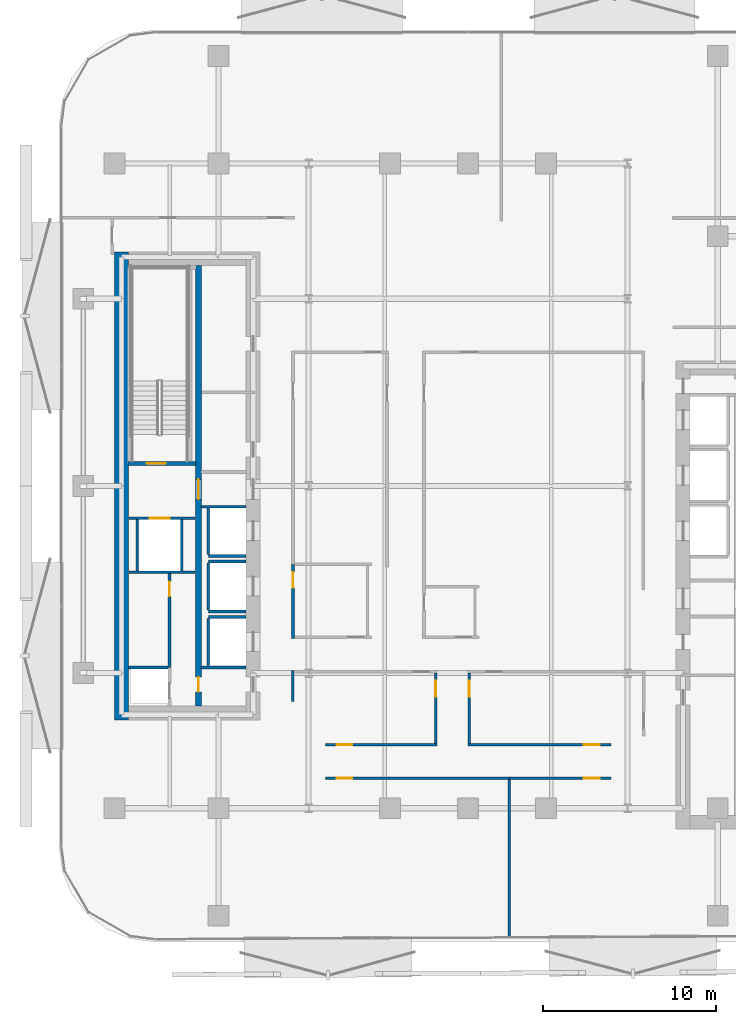
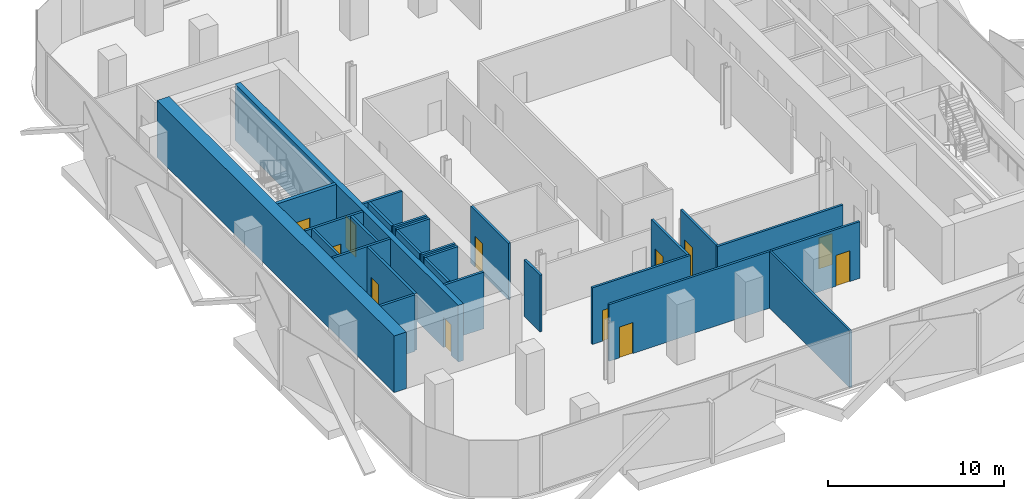
# One storey, part 3 of 15: 27 walls, 12 doors, 12 openings.
"""IFC4 building model written with IfcOpenShell, lengths in metres."""

from ifc_helpers import new_model, si_unit, direction, frame, frame_2d, origin, place, context, subcontext, project, spatial, rectangle, extrude, material, layer, layer_set, type_object, element, fill, save


model = new_model("IFC4")

# Units and contexts
model_context = context("Model", 3, precision=1e-05, world=origin(), true_north=direction((0.0, 1.0)))
body_context = subcontext(model_context, "Body", "Model", "MODEL_VIEW")
ifc_project = project(units=[si_unit("LENGTHUNIT", "METRE"), si_unit("AREAUNIT", "SQUARE_METRE"), si_unit("VOLUMEUNIT", "CUBIC_METRE"), si_unit("PLANEANGLEUNIT", "RADIAN"), si_unit("MASSUNIT", "GRAM", prefix="KILO")], contexts=[model_context])

# Site, building, storey
site_placement = place(None, origin())
site = spatial("IfcSite", under=ifc_project, at=site_placement, CompositionType="ELEMENT")
building_placement = place(site_placement, origin())
building = spatial("IfcBuilding", under=site, at=building_placement, Name="Khairoan Windgate Tower", CompositionType="ELEMENT")
storey_placement = place(building_placement, frame((0.0, 0.0, 105.800048828125)))
storey = spatial("IfcBuildingStorey", under=building, at=storey_placement, Name="L24", CompositionType="ELEMENT", Elevation=105.800048828125)

# Walls
ifc_material_1 = material(Name="Concrete C40/50", Category="concrete")
ifc_layer_1 = layer(ifc_material_1, 0.159912109375, Name="Concrete C40/50")
ifc_layer_set_1 = layer_set([ifc_layer_1], Name="Concrete C40/50")
wall_type_1 = type_object("IfcWallType", Name="Core and Hoistway Enclosure Wall", PredefinedType="STANDARD", material=ifc_layer_set_1)
wall_1_placement = place(storey_placement, frame((-14.989990234375, -4.0400390625, 0.0), z_axis=(0.0, 0.0, 1.0), x_axis=(1.0, 0.0, 0.0)))
element("IfcWall", 1, at=wall_1_placement, inside=storey, type_object=wall_type_1, Name="L24 Lift PL4 Hoistway Divider S", PredefinedType="STANDARD", context=body_context, shape_type="SweptSolid", body=[
    extrude(rectangle(XDim=2.18994140625, YDim=0.159912109375, at=frame_2d((1.094970703125, 0.0))), origin(), (0.0, 0.0, 1.0), 3.93994140625),
])
wall_2_placement = place(storey_placement, frame((-14.989990234375, -3.949951171875, 0.0), z_axis=(0.0, 0.0, 1.0), x_axis=(0.0, 1.0, 0.0)))
element("IfcWall", 2, at=wall_2_placement, inside=storey, type_object=wall_type_1, Name="L24 Lift PL4 Hoistway Back Wall", PredefinedType="STANDARD", context=body_context, shape_type="SweptSolid", body=[
    extrude(rectangle(XDim=2.699951171875, YDim=0.159912109375, at=frame_2d((1.35009765625, 0.0))), origin(), (0.0, 0.0, 1.0), 3.93994140625),
])
for number, where, z_axis, x_axis, name in (
    (3, (-14.989990234375, -7.239990234375, 0.0), (0.0, 0.0, 1.0), (1.0, 0.0, 0.0), "L24 Lift PL5 Hoistway Divider S"),
    (4, (-14.989990234375, -4.360107421875, 0.0), (0.0, 0.0, 1.0), (1.0, 0.0, 0.0), "L24 Lift PL5 Hoistway Divider N"),
):
    element("IfcWall", number, at=place(storey_placement, frame(where, z_axis=z_axis, x_axis=x_axis)), inside=storey, type_object=wall_type_1, Name=name, PredefinedType="STANDARD", context=body_context, shape_type="SweptSolid", body=[
        extrude(rectangle(XDim=2.18994140625, YDim=0.159912109375, at=frame_2d((1.094970703125, 0.0))), origin(), (0.0, 0.0, 1.0), 3.93994140625),
    ])
wall_3_placement = place(storey_placement, frame((-14.989990234375, -7.14990234375, 0.0), z_axis=(0.0, 0.0, 1.0), x_axis=(0.0, 1.0, 0.0)))
element("IfcWall", 5, at=wall_3_placement, inside=storey, type_object=wall_type_1, Name="L24 Lift PL5 Hoistway Back Wall", PredefinedType="STANDARD", context=body_context, shape_type="SweptSolid", body=[
    extrude(rectangle(XDim=2.699951171875, YDim=0.159912109375, at=frame_2d((1.35009765625, 0.0))), origin(), (0.0, 0.0, 1.0), 3.93994140625),
])
wall_4_placement = place(storey_placement, frame((-14.989990234375, -7.56005859375, 0.0), z_axis=(0.0, 0.0, 1.0), x_axis=(1.0, 0.0, 0.0)))
element("IfcWall", 6, at=wall_4_placement, inside=storey, type_object=wall_type_1, Name="L24 Lift PL6 Hoistway Divider N", PredefinedType="STANDARD", context=body_context, shape_type="SweptSolid", body=[
    extrude(rectangle(XDim=2.18994140625, YDim=0.159912109375, at=frame_2d((1.094970703125, 0.0))), origin(), (0.0, 0.0, 1.0), 3.93994140625),
])
wall_5_placement = place(storey_placement, frame((-14.989990234375, -10.35009765625, 0.0), z_axis=(0.0, 0.0, 1.0), x_axis=(0.0, 1.0, 0.0)))
element("IfcWall", 7, at=wall_5_placement, inside=storey, type_object=wall_type_1, Name="L24 Lift PL6 Hoistway Back Wall", PredefinedType="STANDARD", context=body_context, shape_type="SweptSolid", body=[
    extrude(rectangle(XDim=2.7001953125, YDim=0.159912109375, at=frame_2d((1.35009765625, 0.0))), origin(), (0.0, 0.0, 1.0), 3.93994140625),
])

# Wall, opening, door
wall_6_placement = place(storey_placement, frame((-19.550048828125, -1.860107421875, 0.0), z_axis=(0.0, 0.0, 1.0), x_axis=(1.0, 0.0, 0.0)))
wall_6 = element("IfcWall", 8, at=wall_6_placement, inside=storey, type_object=wall_type_1, Name="L24 Core Shaft Wall SW-FL2-L24", PredefinedType="STANDARD", context=body_context, shape_type="SweptSolid", body=[
    extrude(rectangle(XDim=3.800048828125, YDim=0.159912109375, at=frame_2d((1.89990234375, 0.0))), origin(), (0.0, 0.0, 1.0), 3.93994140625),
])
opening_1_placement = place(wall_6_placement, frame((1.179931640625, 0.0, 0.0)))
opening_1 = element("IfcOpeningElement", 9, at=opening_1_placement, cuts=wall_6, Name="Opening LD-FL", PredefinedType="OPENING", context=body_context, shape_type="SweptSolid", body=[
    extrude(rectangle(XDim=1.14990234375, YDim=2.199951171875, at=frame_2d((0.574951171875, 1.10009765625))), frame((0.0, 0.08984375, 0.0), z_axis=(0.0, -1.0, 0.0), x_axis=(1.0, 0.0, 0.0)), (0.0, 0.0, 1.0), 0.179931640625),
])
ifc_material_2 = material(Name="Steel S355", Category="steel")
door_type_1 = type_object("IfcDoorType", Name="Firefighting Lift Sliding Landing Door LD-FL 1150x2200", OperationType="DOUBLE_DOOR_SLIDING", PredefinedType="DOOR", material=ifc_material_2)
door_1_placement = place(opening_1_placement, origin())
door_1 = element("IfcDoor", 10, at=door_1_placement, inside=storey, type_object=door_type_1, Name="L24 Firefighting Lift FL2 Landing Door", OperationType="DOUBLE_DOOR_SLIDING", OverallHeight=2.199951171875, OverallWidth=1.14990234375, PredefinedType="DOOR", context=body_context, shape_type="SweptSolid", body=[
    extrude(rectangle(XDim=1.14990234375, YDim=2.199951171875, at=frame_2d((0.574951171875, 1.10009765625))), frame((0.0, 0.02490234375, 0.0), z_axis=(0.0, -1.0, 0.0), x_axis=(1.0, 0.0, 0.0)), (0.0, 0.0, 1.0), 0.050048828125),
])
fill(opening_1, door_1)

# Walls
wall_7_placement = place(storey_placement, frame((-19.550048828125, -4.97998046875, 0.0), z_axis=(0.0, 0.0, 1.0), x_axis=(1.0, 0.0, 0.0)))
element("IfcWall", 11, at=wall_7_placement, inside=storey, type_object=wall_type_1, Name="L24 Core Shaft Wall SW-FL2B-L24", PredefinedType="STANDARD", context=body_context, shape_type="SweptSolid", body=[
    extrude(rectangle(XDim=3.800048828125, YDim=0.159912109375, at=frame_2d((1.89990234375, 0.0))), origin(), (0.0, 0.0, 1.0), 3.93994140625),
])
for number, where, z_axis, x_axis, name in (
    (12, (-19.080078125, -4.89990234375, 0.0), (0.0, 0.0, 1.0), (0.0, 1.0, 0.0), "L24 Core Shaft Wall SW-FL2W-L24"),
    (13, (-16.52001953125, -4.89990234375, 0.0), (0.0, 0.0, 1.0), (0.0, 1.0, 0.0), "L24 Core Shaft Wall SW-FL2E-L24"),
):
    element("IfcWall", number, at=place(storey_placement, frame(where, z_axis=z_axis, x_axis=x_axis)), inside=storey, type_object=wall_type_1, Name=name, PredefinedType="STANDARD", context=body_context, shape_type="SweptSolid", body=[
        extrude(rectangle(XDim=2.9599609375, YDim=0.159912109375, at=frame_2d((1.47998046875, 0.0))), origin(), (0.0, 0.0, 1.0), 3.93994140625),
    ])
for number, where, z_axis, x_axis, name in (
    (14, (-15.39990234375, -1.199951171875, 0.0), (0.0, 0.0, 1.0), (1.0, 0.0, 0.0), "L24 Core Shaft Wall SW-WV2-L24"),
    (15, (-15.39990234375, -10.47998046875, 0.0), (0.0, 0.0, 1.0), (1.0, 0.0, 0.0), "L24 Core Shaft Wall SW-WSV-L24"),
):
    element("IfcWall", number, at=place(storey_placement, frame(where, z_axis=z_axis, x_axis=x_axis)), inside=storey, type_object=wall_type_1, Name=name, PredefinedType="STANDARD", context=body_context, shape_type="SweptSolid", body=[
        extrude(rectangle(XDim=2.599853515625, YDim=0.159912109375, at=frame_2d((1.2998046875, 0.0))), origin(), (0.0, 0.0, 1.0), 3.93994140625),
    ])
ifc_material_3 = material(Name="Acoustic Fire-Rated Gypsum Partition", Category="gypsum")
ifc_layer_2 = layer(ifc_material_3, 0.139892578125, Name="Acoustic Fire-Rated Gypsum Partition")
ifc_layer_set_2 = layer_set([ifc_layer_2], Name="Acoustic Fire-Rated Gypsum Partition")
wall_type_2 = type_object("IfcWallType", Name="Inter-Tenancy Compartment Wall", PredefinedType="PARTITIONING", material=ifc_layer_set_2)
wall_8_placement = place(storey_placement, frame((2.3798828125, -26.054931640625, 0.0), z_axis=(0.0, 0.0, 1.0), x_axis=(0.0, 1.0, 0.0)))
element("IfcWall", 16, at=wall_8_placement, inside=storey, type_object=wall_type_2, Name="L24 Interior Partition 040", PredefinedType="PARTITIONING", context=body_context, shape_type="SweptSolid", body=[
    extrude(rectangle(XDim=9.119873046875, YDim=0.139892578125, at=frame_2d((4.56005859375, 0.0))), origin(), (0.0, 0.0, 1.0), 3.93994140625),
])

# Wall, opening, door
ifc_material_4 = material(Name="Concrete C40/50", Category="concrete")
ifc_layer_3 = layer(ifc_material_4, 0.159912109375, Name="Concrete C40/50")
ifc_layer_set_3 = layer_set([ifc_layer_3], Name="Concrete C40/50")
wall_type_3 = type_object("IfcWallType", Name="Plant and Refuge Compartment Wall", PredefinedType="PARTITIONING", material=ifc_layer_set_3)
wall_9_placement = place(storey_placement, frame((-17.22998046875, -10.469970703125, 0.0), z_axis=(0.0, 0.0, 1.0), x_axis=(0.0, 1.0, 0.0)))
wall_9 = element("IfcWall", 17, at=wall_9_placement, inside=storey, type_object=wall_type_3, Name="L24 Interior Partition 002", PredefinedType="PARTITIONING", context=body_context, shape_type="SweptSolid", body=[
    extrude(rectangle(XDim=5.409912109375, YDim=0.159912109375, at=frame_2d((2.705078125, 0.0))), origin(), (0.0, 0.0, 1.0), 3.93994140625),
])
opening_2_placement = place(wall_9_placement, frame((4.10009765625, 0.0, 0.0)))
opening_2 = element("IfcOpeningElement", 18, at=opening_2_placement, cuts=wall_9, Name="Opening FD-SRV", PredefinedType="OPENING", context=body_context, shape_type="SweptSolid", body=[
    extrude(rectangle(XDim=0.85009765625, YDim=2.10009765625, at=frame_2d((0.425048828125, 1.050048828125))), frame((0.0, 0.08984375, 0.0), z_axis=(0.0, -1.0, 0.0), x_axis=(1.0, 0.0, 0.0)), (0.0, 0.0, 1.0), 0.179931640625),
])
ifc_material_5 = material(Name="Steel S355", Category="steel")
door_type_2 = type_object("IfcDoorType", Name="Core Service and Riser Fire Door FD-SRV 850x2100", OperationType="NOTDEFINED", PredefinedType="DOOR", material=ifc_material_5)
door_2_placement = place(opening_2_placement, origin())
door_2 = element("IfcDoor", 19, at=door_2_placement, inside=storey, type_object=door_type_2, Name="L24 L24-04-L24-06 Door", OperationType="SINGLE_SWING_LEFT", OverallHeight=2.10009765625, OverallWidth=0.85009765625, PredefinedType="DOOR", context=body_context, shape_type="SweptSolid", body=[
    extrude(rectangle(XDim=0.85009765625, YDim=2.10009765625, at=frame_2d((0.425048828125, 1.050048828125))), frame((0.0, 0.02490234375, 0.0), z_axis=(0.0, -1.0, 0.0), x_axis=(1.0, 0.0, 0.0)), (0.0, 0.0, 1.0), 0.050048828125),
])
fill(opening_2, door_2)

# Wall
wall_10_placement = place(storey_placement, frame((-19.60009765625, -10.469970703125, 0.0), z_axis=(0.0, 0.0, 1.0), x_axis=(1.0, 0.0, 0.0)))
element("IfcWall", 20, at=wall_10_placement, inside=storey, type_object=wall_type_3, Name="L24 Interior Partition 003", PredefinedType="PARTITIONING", context=body_context, shape_type="SweptSolid", body=[
    extrude(rectangle(XDim=2.2900390625, YDim=0.159912109375, at=frame_2d((1.14501953125, 0.0))), origin(), (0.0, 0.0, 1.0), 3.93994140625),
])

# Wall, opening, door
ifc_material_6 = material(Name="Acoustic Fire-Rated Gypsum Partition", Category="gypsum")
ifc_layer_4 = layer(ifc_material_6, 0.14990234375, Name="Acoustic Fire-Rated Gypsum Partition")
ifc_layer_set_4 = layer_set([ifc_layer_4], Name="Acoustic Fire-Rated Gypsum Partition")
wall_type_4 = type_object("IfcWallType", Name="Rated Corridor Partition Wall", PredefinedType="PARTITIONING", material=ifc_layer_set_4)
wall_11_placement = place(storey_placement, frame((-10.10009765625, -8.794921875, 0.0), z_axis=(0.0, 0.0, 1.0), x_axis=(0.0, 1.0, 0.0)))
wall_11 = element("IfcWall", 21, at=wall_11_placement, inside=storey, type_object=wall_type_4, Name="L24 Interior Partition 012", PredefinedType="PARTITIONING", context=body_context, shape_type="SweptSolid", body=[
    extrude(rectangle(XDim=4.27490234375, YDim=0.14990234375, at=frame_2d((2.137451171875, 0.0))), origin(), (0.0, 0.0, 1.0), 3.93994140625),
])
opening_3_placement = place(wall_11_placement, frame((2.9150390625, 0.0, 0.0)))
opening_3 = element("IfcOpeningElement", 22, at=opening_3_placement, cuts=wall_11, Name="Opening FD-ENT", PredefinedType="OPENING", context=body_context, shape_type="SweptSolid", body=[
    extrude(rectangle(XDim=0.89990234375, YDim=2.14990234375, at=frame_2d((0.449951171875, 1.074951171875))), frame((0.0, 0.0849609375, 0.0), z_axis=(0.0, -1.0, 0.0), x_axis=(1.0, 0.0, 0.0)), (0.0, 0.0, 1.0), 0.169921875),
])
ifc_material_7 = material(Name="Timber Fire-Rated Core", Category="wood")
door_type_3 = type_object("IfcDoorType", Name="Unit and Office Fire Entrance Door FD-ENT 900x2150", OperationType="NOTDEFINED", PredefinedType="DOOR", material=ifc_material_7)
door_3_placement = place(opening_3_placement, origin())
door_3 = element("IfcDoor", 23, at=door_3_placement, inside=storey, type_object=door_type_3, Name="L24 L24-28-L24-46 Door", OperationType="SINGLE_SWING_RIGHT", OverallHeight=2.14990234375, OverallWidth=0.89990234375, PredefinedType="DOOR", context=body_context, shape_type="SweptSolid", body=[
    extrude(rectangle(XDim=0.89990234375, YDim=2.14990234375, at=frame_2d((0.449951171875, 1.074951171875))), frame((0.0, 0.02490234375, 0.0), z_axis=(0.0, -1.0, 0.0), x_axis=(1.0, 0.0, 0.0)), (0.0, 0.0, 1.0), 0.050048828125),
])
fill(opening_3, door_3)

# Wall
wall_12_placement = place(storey_placement, frame((-10.125, -12.43994140625, 0.0), z_axis=(0.0, 0.0, 1.0), x_axis=(0.0, 1.0, 0.0)))
element("IfcWall", 24, at=wall_12_placement, inside=storey, type_object=wall_type_4, Name="L24 Interior Partition 014", PredefinedType="PARTITIONING", context=body_context, shape_type="SweptSolid", body=[
    extrude(rectangle(XDim=1.800048828125, YDim=0.14990234375, at=frame_2d((0.89990234375, 0.0))), origin(), (0.0, 0.0, 1.0), 3.93994140625),
])

# Wall, opening, door
wall_13_placement = place(storey_placement, frame((-8.239990234375, -16.860107421875, 0.0), z_axis=(0.0, 0.0, 1.0), x_axis=(1.0, 0.0, 0.0)))
wall_13 = element("IfcWall", 25, at=wall_13_placement, inside=storey, type_object=wall_type_4, Name="L24 Interior Partition 030", PredefinedType="PARTITIONING", context=body_context, shape_type="SweptSolid", body=[
    extrude(rectangle(XDim=10.619873046875, YDim=0.14990234375, at=frame_2d((5.31005859375, 0.0))), origin(), (0.0, 0.0, 1.0), 3.93994140625),
])
opening_4_placement = place(wall_13_placement, frame((0.664794921875, 0.0, 0.0)))
opening_4 = element("IfcOpeningElement", 26, at=opening_4_placement, cuts=wall_13, Name="Opening FD-ENT", PredefinedType="OPENING", context=body_context, shape_type="SweptSolid", body=[
    extrude(rectangle(XDim=0.89990234375, YDim=2.14990234375, at=frame_2d((0.449951171875, 1.074951171875))), frame((0.0, 0.0849609375, 0.0), z_axis=(0.0, -1.0, 0.0), x_axis=(1.0, 0.0, 0.0)), (0.0, 0.0, 1.0), 0.169921875),
])
door_4_placement = place(opening_4_placement, origin())
door_4 = element("IfcDoor", 27, at=door_4_placement, inside=storey, type_object=door_type_3, Name="L24 L24-35-L24-42 Door", OperationType="SINGLE_SWING_RIGHT", OverallHeight=2.14990234375, OverallWidth=0.89990234375, PredefinedType="DOOR", context=body_context, shape_type="SweptSolid", body=[
    extrude(rectangle(XDim=0.89990234375, YDim=2.14990234375, at=frame_2d((0.449951171875, 1.074951171875))), frame((0.0, 0.02490234375, 0.0), z_axis=(0.0, -1.0, 0.0), x_axis=(1.0, 0.0, 0.0)), (0.0, 0.0, 1.0), 0.050048828125),
])
fill(opening_4, door_4)

wall_14_placement = place(storey_placement, frame((2.3798828125, -16.860107421875, 0.0), z_axis=(0.0, 0.0, 1.0), x_axis=(1.0, 0.0, 0.0)))
wall_14 = element("IfcWall", 28, at=wall_14_placement, inside=storey, type_object=wall_type_4, Name="L24 Interior Partition 031", PredefinedType="PARTITIONING", context=body_context, shape_type="SweptSolid", body=[
    extrude(rectangle(XDim=5.860107421875, YDim=0.14990234375, at=frame_2d((2.93017578125, 0.0))), origin(), (0.0, 0.0, 1.0), 3.93994140625),
])
opening_5_placement = place(wall_14_placement, frame((4.298095703125, 0.0, 0.0)))
opening_5 = element("IfcOpeningElement", 29, at=opening_5_placement, cuts=wall_14, Name="Opening FD-ENT", PredefinedType="OPENING", context=body_context, shape_type="SweptSolid", body=[
    extrude(rectangle(XDim=0.89990234375, YDim=2.14990234375, at=frame_2d((0.449951171875, 1.074951171875))), frame((0.0, 0.0849609375, 0.0), z_axis=(0.0, -1.0, 0.0), x_axis=(1.0, 0.0, 0.0)), (0.0, 0.0, 1.0), 0.169921875),
])
door_5_placement = place(opening_5_placement, origin())
door_5 = element("IfcDoor", 30, at=door_5_placement, inside=storey, type_object=door_type_3, Name="L24 L24-35-L24-43 Door", OperationType="SINGLE_SWING_LEFT", OverallHeight=2.14990234375, OverallWidth=0.89990234375, PredefinedType="DOOR", context=body_context, shape_type="SweptSolid", body=[
    extrude(rectangle(XDim=0.89990234375, YDim=2.14990234375, at=frame_2d((0.449951171875, 1.074951171875))), frame((0.0, 0.02490234375, 0.0), z_axis=(0.0, -1.0, 0.0), x_axis=(1.0, 0.0, 0.0)), (0.0, 0.0, 1.0), 0.050048828125),
])
fill(opening_5, door_5)

wall_15_placement = place(storey_placement, frame((-8.239990234375, -14.93994140625, 0.0), z_axis=(0.0, 0.0, 1.0), x_axis=(1.0, 0.0, 0.0)))
wall_15 = element("IfcWall", 31, at=wall_15_placement, inside=storey, type_object=wall_type_4, Name="L24 Interior Partition 032", PredefinedType="PARTITIONING", context=body_context, shape_type="SweptSolid", body=[
    extrude(rectangle(XDim=6.455078125, YDim=0.14990234375, at=frame_2d((3.2275390625, 0.0))), origin(), (0.0, 0.0, 1.0), 3.93994140625),
])
opening_6_placement = place(wall_15_placement, frame((0.66162109375, 0.0, 0.0)))
opening_6 = element("IfcOpeningElement", 32, at=opening_6_placement, cuts=wall_15, Name="Opening FD-ENT", PredefinedType="OPENING", context=body_context, shape_type="SweptSolid", body=[
    extrude(rectangle(XDim=0.89990234375, YDim=2.14990234375, at=frame_2d((0.449951171875, 1.074951171875))), frame((0.0, 0.0849609375, 0.0), z_axis=(0.0, -1.0, 0.0), x_axis=(1.0, 0.0, 0.0)), (0.0, 0.0, 1.0), 0.169921875),
])
door_6_placement = place(opening_6_placement, origin())
door_6 = element("IfcDoor", 33, at=door_6_placement, inside=storey, type_object=door_type_3, Name="L24 L24-35-L24-48 Door", OperationType="SINGLE_SWING_RIGHT", OverallHeight=2.14990234375, OverallWidth=0.89990234375, PredefinedType="DOOR", context=body_context, shape_type="SweptSolid", body=[
    extrude(rectangle(XDim=0.89990234375, YDim=2.14990234375, at=frame_2d((0.449951171875, 1.074951171875))), frame((0.0, 0.02490234375, 0.0), z_axis=(0.0, -1.0, 0.0), x_axis=(1.0, 0.0, 0.0)), (0.0, 0.0, 1.0), 0.050048828125),
])
fill(opening_6, door_6)

wall_16_placement = place(storey_placement, frame((-0.014892578125, -14.93994140625, 0.0), z_axis=(0.0, 0.0, 1.0), x_axis=(1.0, 0.0, 0.0)))
wall_16 = element("IfcWall", 34, at=wall_16_placement, inside=storey, type_object=wall_type_4, Name="L24 Interior Partition 033", PredefinedType="PARTITIONING", context=body_context, shape_type="SweptSolid", body=[
    extrude(rectangle(XDim=8.2548828125, YDim=0.14990234375, at=frame_2d((4.12744140625, 0.0))), origin(), (0.0, 0.0, 1.0), 3.93994140625),
])
opening_7_placement = place(wall_16_placement, frame((6.69384765625, 0.0, 0.0)))
opening_7 = element("IfcOpeningElement", 35, at=opening_7_placement, cuts=wall_16, Name="Opening FD-ENT", PredefinedType="OPENING", context=body_context, shape_type="SweptSolid", body=[
    extrude(rectangle(XDim=0.89990234375, YDim=2.14990234375, at=frame_2d((0.449951171875, 1.074951171875))), frame((0.0, 0.0849609375, 0.0), z_axis=(0.0, -1.0, 0.0), x_axis=(1.0, 0.0, 0.0)), (0.0, 0.0, 1.0), 0.169921875),
])
door_7_placement = place(opening_7_placement, origin())
door_7 = element("IfcDoor", 36, at=door_7_placement, inside=storey, type_object=door_type_3, Name="L24 L24-35-L24-49 Door", OperationType="SINGLE_SWING_LEFT", OverallHeight=2.14990234375, OverallWidth=0.89990234375, PredefinedType="DOOR", context=body_context, shape_type="SweptSolid", body=[
    extrude(rectangle(XDim=0.89990234375, YDim=2.14990234375, at=frame_2d((0.449951171875, 1.074951171875))), frame((0.0, 0.02490234375, 0.0), z_axis=(0.0, -1.0, 0.0), x_axis=(1.0, 0.0, 0.0)), (0.0, 0.0, 1.0), 0.050048828125),
])
fill(opening_7, door_7)

wall_17_placement = place(storey_placement, frame((-1.860107421875, -14.864990234375, 0.0), z_axis=(0.0, 0.0, 1.0), x_axis=(0.0, 1.0, 0.0)))
wall_17 = element("IfcWall", 37, at=wall_17_placement, inside=storey, type_object=wall_type_4, Name="L24 Interior Partition 034", PredefinedType="PARTITIONING", context=body_context, shape_type="SweptSolid", body=[
    extrude(rectangle(XDim=4.074951171875, YDim=0.14990234375, at=frame_2d((2.03759765625, 0.0))), origin(), (0.0, 0.0, 1.0), 3.93994140625),
])
opening_8_placement = place(wall_17_placement, frame((2.715087890625, 0.0, 0.0)))
opening_8 = element("IfcOpeningElement", 38, at=opening_8_placement, cuts=wall_17, Name="Opening FD-ENT", PredefinedType="OPENING", context=body_context, shape_type="SweptSolid", body=[
    extrude(rectangle(XDim=0.89990234375, YDim=2.14990234375, at=frame_2d((0.449951171875, 1.074951171875))), frame((0.0, 0.0849609375, 0.0), z_axis=(0.0, -1.0, 0.0), x_axis=(1.0, 0.0, 0.0)), (0.0, 0.0, 1.0), 0.169921875),
])
door_8_placement = place(opening_8_placement, origin())
door_8 = element("IfcDoor", 39, at=door_8_placement, inside=storey, type_object=door_type_3, Name="L24 L24-36-L24-48 Door", OperationType="SINGLE_SWING_RIGHT", OverallHeight=2.14990234375, OverallWidth=0.89990234375, PredefinedType="DOOR", context=body_context, shape_type="SweptSolid", body=[
    extrude(rectangle(XDim=0.89990234375, YDim=2.14990234375, at=frame_2d((0.449951171875, 1.074951171875))), frame((0.0, 0.02490234375, 0.0), z_axis=(0.0, -1.0, 0.0), x_axis=(1.0, 0.0, 0.0)), (0.0, 0.0, 1.0), 0.050048828125),
])
fill(opening_8, door_8)

wall_18_placement = place(storey_placement, frame((0.06005859375, -14.864990234375, 0.0), z_axis=(0.0, 0.0, 1.0), x_axis=(0.0, 1.0, 0.0)))
wall_18 = element("IfcWall", 40, at=wall_18_placement, inside=storey, type_object=wall_type_4, Name="L24 Interior Partition 035", PredefinedType="PARTITIONING", context=body_context, shape_type="SweptSolid", body=[
    extrude(rectangle(XDim=4.074951171875, YDim=0.14990234375, at=frame_2d((2.03759765625, 0.0))), origin(), (0.0, 0.0, 1.0), 3.93994140625),
])
opening_9_placement = place(wall_18_placement, frame((2.715087890625, 0.0, 0.0)))
opening_9 = element("IfcOpeningElement", 41, at=opening_9_placement, cuts=wall_18, Name="Opening FD-ENT", PredefinedType="OPENING", context=body_context, shape_type="SweptSolid", body=[
    extrude(rectangle(XDim=0.89990234375, YDim=2.14990234375, at=frame_2d((0.449951171875, 1.074951171875))), frame((0.0, 0.0849609375, 0.0), z_axis=(0.0, -1.0, 0.0), x_axis=(1.0, 0.0, 0.0)), (0.0, 0.0, 1.0), 0.169921875),
])
door_9_placement = place(opening_9_placement, origin())
door_9 = element("IfcDoor", 42, at=door_9_placement, inside=storey, type_object=door_type_3, Name="L24 L24-36-L24-49 Door", OperationType="SINGLE_SWING_LEFT", OverallHeight=2.14990234375, OverallWidth=0.89990234375, PredefinedType="DOOR", context=body_context, shape_type="SweptSolid", body=[
    extrude(rectangle(XDim=0.89990234375, YDim=2.14990234375, at=frame_2d((0.449951171875, 1.074951171875))), frame((0.0, 0.02490234375, 0.0), z_axis=(0.0, -1.0, 0.0), x_axis=(1.0, 0.0, 0.0)), (0.0, 0.0, 1.0), 0.050048828125),
])
fill(opening_9, door_9)

# Wall
ifc_material_8 = material(Name="Concrete C70/85", Category="concrete")
ifc_layer_5 = layer(ifc_material_8, 0.800048828125, Name="Concrete C70/85")
ifc_layer_set_5 = layer_set([ifc_layer_5], Name="Concrete C70/85")
wall_type_5 = type_object("IfcWallType", Name="Shear Wall CW-W1 800mm", PredefinedType="SHEAR", material=ifc_layer_set_5)
wall_19_placement = place(storey_placement, frame((-20.0, -13.5, 0.0), z_axis=(0.0, 0.0, 1.0), x_axis=(0.0, 1.0, 0.0)))
element("IfcWall", 43, at=wall_19_placement, inside=storey, type_object=wall_type_5, Name="W Core West Shear Wall L24", PredefinedType="SHEAR", context=body_context, shape_type="SweptSolid", body=[
    extrude(rectangle(XDim=27.0, YDim=0.800048828125, at=frame_2d((13.5, 0.0))), origin(), (0.0, 0.0, 1.0), 3.93994140625),
])

# Wall, openings, doors
ifc_material_9 = material(Name="Concrete C60/75", Category="concrete")
ifc_layer_6 = layer(ifc_material_9, 0.35009765625, Name="Concrete C60/75")
ifc_layer_set_6 = layer_set([ifc_layer_6], Name="Concrete C60/75")
wall_type_6 = type_object("IfcWallType", Name="Shear Wall SW-1 350mm", PredefinedType="SHEAR", material=ifc_layer_set_6)
wall_20_placement = place(storey_placement, frame((-15.550048828125, -12.699951171875, 0.0), z_axis=(0.0, 0.0, 1.0), x_axis=(0.0, 1.0, 0.0)))
wall_20 = element("IfcWall", 44, at=wall_20_placement, inside=storey, type_object=wall_type_6, Name="W Core Spine Shear Wall L24", PredefinedType="SHEAR", context=body_context, shape_type="SweptSolid", body=[
    extrude(rectangle(XDim=25.39990234375, YDim=0.35009765625, at=frame_2d((12.699951171875, 0.0))), origin(), (0.0, 0.0, 1.0), 3.93994140625),
])
opening_10_placement = place(wall_20_placement, frame((11.925048828125, 0.0, 0.0)))
opening_10 = element("IfcOpeningElement", 45, at=opening_10_placement, cuts=wall_20, Name="Opening FD-FFL", PredefinedType="OPENING", context=body_context, shape_type="SweptSolid", body=[
    extrude(rectangle(XDim=1.14990234375, YDim=2.199951171875, at=frame_2d((0.574951171875, 1.10009765625))), frame((0.0, 0.18505859375, 0.0), z_axis=(0.0, -1.0, 0.0), x_axis=(1.0, 0.0, 0.0)), (0.0, 0.0, 1.0), 0.3701171875),
])
opening_11_placement = place(wall_20_placement, frame((0.824951171875, 0.0, 0.0)))
opening_11 = element("IfcOpeningElement", 46, at=opening_11_placement, cuts=wall_20, Name="Opening FD-SRV", PredefinedType="OPENING", context=body_context, shape_type="SweptSolid", body=[
    extrude(rectangle(XDim=0.85009765625, YDim=2.10009765625, at=frame_2d((0.425048828125, 1.050048828125))), frame((0.0, 0.18505859375, 0.0), z_axis=(0.0, -1.0, 0.0), x_axis=(1.0, 0.0, 0.0)), (0.0, 0.0, 1.0), 0.3701171875),
])
door_10_placement = place(opening_11_placement, origin())
door_10 = element("IfcDoor", 47, at=door_10_placement, inside=storey, type_object=door_type_2, Name="L24 West Core Service Passage Inner Door", OperationType="SINGLE_SWING_LEFT", OverallHeight=2.10009765625, OverallWidth=0.85009765625, PredefinedType="DOOR", context=body_context, shape_type="SweptSolid", body=[
    extrude(rectangle(XDim=0.85009765625, YDim=2.10009765625, at=frame_2d((0.425048828125, 1.050048828125))), frame((0.0, 0.02490234375, 0.0), z_axis=(0.0, -1.0, 0.0), x_axis=(1.0, 0.0, 0.0)), (0.0, 0.0, 1.0), 0.050048828125),
])
fill(opening_11, door_10)
ifc_material_10 = material(Name="Steel S355", Category="steel")
door_type_4 = type_object("IfcDoorType", Name="Firefighting Lobby Fire Door FD-FFL 1150x2200", OperationType="NOTDEFINED", PredefinedType="DOOR", material=ifc_material_10)
door_11_placement = place(opening_10_placement, origin())
door_11 = element("IfcDoor", 48, at=door_11_placement, inside=storey, type_object=door_type_4, Name="L24 West Firefighting Lobby Fire Door", OperationType="SINGLE_SWING_LEFT", OverallHeight=2.199951171875, OverallWidth=1.14990234375, PredefinedType="DOOR", context=body_context, shape_type="SweptSolid", body=[
    extrude(rectangle(XDim=1.14990234375, YDim=2.199951171875, at=frame_2d((0.574951171875, 1.10009765625))), frame((0.0, 0.02490234375, 0.0), z_axis=(0.0, -1.0, 0.0), x_axis=(1.0, 0.0, 0.0)), (0.0, 0.0, 1.0), 0.050048828125),
])
fill(opening_10, door_11)

# Wall, opening, door
ifc_material_11 = material(Name="Concrete C50/60", Category="concrete")
ifc_layer_7 = layer(ifc_material_11, 0.219970703125, Name="Concrete C50/60")
ifc_layer_set_7 = layer_set([ifc_layer_7], Name="Concrete C50/60")
wall_type_7 = type_object("IfcWallType", Name="Shear Wall SW-ST 220mm", PredefinedType="SHEAR", material=ifc_layer_set_7)
wall_21_placement = place(storey_placement, frame((-19.6201171875, 1.2900390625, 0.0), z_axis=(0.0, 0.0, 1.0), x_axis=(1.0, 0.0, 0.0)))
wall_21 = element("IfcWall", 49, at=wall_21_placement, inside=storey, type_object=wall_type_7, Name="L24 Stair ST2 South Bearing Wall", PredefinedType="SHEAR", context=body_context, shape_type="SweptSolid", body=[
    extrude(rectangle(XDim=3.9150390625, YDim=0.219970703125, at=frame_2d((1.95751953125, 0.0))), origin(), (0.0, 0.0, 1.0), 3.93994140625),
])
opening_12_placement = place(wall_21_placement, frame((1.080078125, 0.0, 0.0)))
opening_12 = element("IfcOpeningElement", 50, at=opening_12_placement, cuts=wall_21, Name="Opening FD-ST", PredefinedType="OPENING", context=body_context, shape_type="SweptSolid", body=[
    extrude(rectangle(XDim=1.10009765625, YDim=2.199951171875, at=frame_2d((0.550048828125, 1.10009765625))), frame((0.0, 0.119873046875, 0.0), z_axis=(0.0, -1.0, 0.0), x_axis=(1.0, 0.0, 0.0)), (0.0, 0.0, 1.0), 0.239990234375),
])
ifc_material_12 = material(Name="Steel S355", Category="steel")
door_type_5 = type_object("IfcDoorType", Name="Smokeproof Stair Fire Door FD-ST 1100x2200", OperationType="NOTDEFINED", PredefinedType="DOOR", material=ifc_material_12)
door_12_placement = place(opening_12_placement, origin())
door_12 = element("IfcDoor", 51, at=door_12_placement, inside=storey, type_object=door_type_5, Name="L24 Stair ST2 Fire Door", OperationType="SINGLE_SWING_LEFT", OverallHeight=2.199951171875, OverallWidth=1.10009765625, PredefinedType="DOOR", context=body_context, shape_type="SweptSolid", body=[
    extrude(rectangle(XDim=1.10009765625, YDim=2.199951171875, at=frame_2d((0.550048828125, 1.10009765625))), frame((0.0, 0.02490234375, 0.0), z_axis=(0.0, -1.0, 0.0), x_axis=(1.0, 0.0, 0.0)), (0.0, 0.0, 1.0), 0.050048828125),
])
fill(opening_12, door_12)

save(model, "model.ifc")
